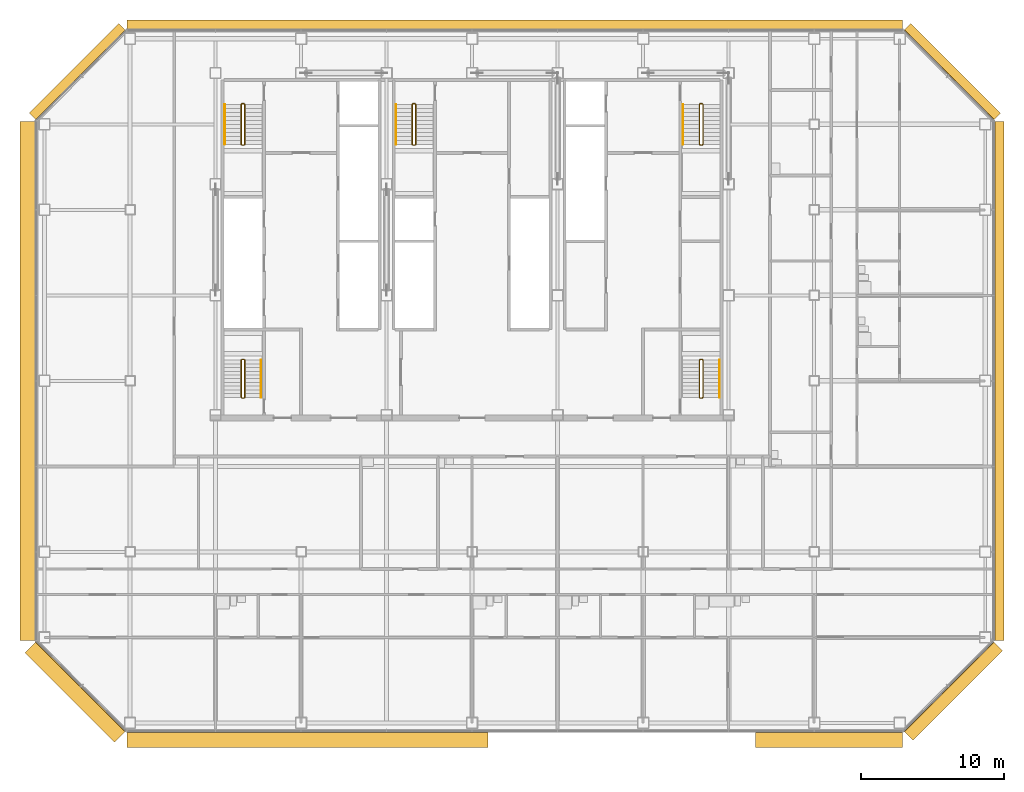
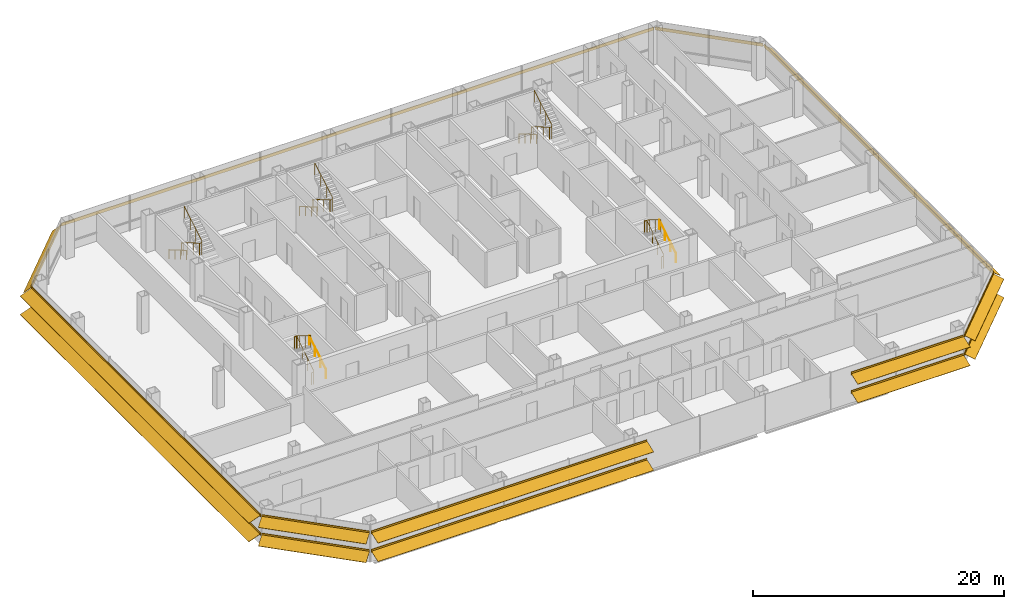
# One storey, part 24 of 25: 10 railings, 9 shading devices.
"""IFC4 building model written with IfcOpenShell, lengths in metres."""

from ifc_helpers import new_model, si_unit, direction, frame, origin, origin_2d, place, context, subcontext, project, spatial, polyline, circle, outline, composite_profile, extrude, material, type_object, element, save


model = new_model("IFC4")

# Units and contexts
model_context = context("Model", 3, precision=1e-05, world=origin(), true_north=direction((0.0, 1.0)))
body_context = subcontext(model_context, "Body", "Model", "MODEL_VIEW")
ifc_project = project(units=[si_unit("LENGTHUNIT", "METRE"), si_unit("AREAUNIT", "SQUARE_METRE"), si_unit("VOLUMEUNIT", "CUBIC_METRE"), si_unit("PLANEANGLEUNIT", "RADIAN"), si_unit("MASSUNIT", "GRAM", prefix="KILO")], contexts=[model_context])

# Site, building, storey
site_placement = place(None, origin())
site = spatial("IfcSite", under=ifc_project, at=site_placement, CompositionType="ELEMENT")
building_placement = place(site_placement, origin())
building = spatial("IfcBuilding", under=site, at=building_placement, Name="Sorahane Residences", CompositionType="ELEMENT")
storey_placement = place(building_placement, frame((0.0, 0.0, 107.0)))
storey = spatial("IfcBuildingStorey", under=building, at=storey_placement, Name="L23", CompositionType="ELEMENT", Elevation=107.0)

# Shading devices
ifc_material_1 = material(Name="Terracotta anodised aluminium", Category="masonry")
shading_device_type_1 = type_object("IfcShadingDeviceType", Name="Louvre sunshade blade E terracotta aluminium 700", PredefinedType="JALOUSIE", material=ifc_material_1)
shading_device_1_placement = place(storey_placement, frame((60.60009765625, 5.801513671875, 2.699951171875), z_axis=(0.0, 1.0, 0.0), x_axis=(-1.0, 0.0, 0.0)))
element("IfcShadingDevice", 1, at=shading_device_1_placement, inside=storey, type_object=shading_device_type_1, Name="Louvre sunshade blade bank E L23 E1", PredefinedType="JALOUSIE", context=body_context, shape_type="SweptSolid", body=[
    extrude(outline(polyline([(-0.719970703125, -0.49365234375), (-0.719970703125, -0.523681640625), (-0.080078125, -0.05859375), (-0.080078125, -0.14990234375), (-0.02001953125, -0.14990234375), (-0.02001953125, -0.014892578125), (-0.02001953125, 0.014892578125), (-0.02001953125, 0.14990234375), (-0.080078125, 0.14990234375), (-0.080078125, -0.028564453125), (-0.719970703125, -0.49365234375)])), origin(), (0.0, 0.0, 1.0), 36.39697265625),
])
ifc_material_2 = material(Name="Terracotta anodised aluminium", Category="masonry")
shading_device_type_2 = type_object("IfcShadingDeviceType", Name="Louvre sunshade blade N terracotta aluminium 700", PredefinedType="JALOUSIE", material=ifc_material_2)
shading_device_2_placement = place(storey_placement, frame((54.198486328125, 48.60009765625, 2.699951171875), z_axis=(-1.0, 0.0, 0.0), x_axis=(0.0, -1.0, 0.0)))
element("IfcShadingDevice", 2, at=shading_device_2_placement, inside=storey, type_object=shading_device_type_2, Name="Louvre sunshade blade bank N L23 N1", PredefinedType="JALOUSIE", context=body_context, shape_type="SweptSolid", body=[
    extrude(outline(polyline([(-0.719970703125, -0.660888671875), (-0.719970703125, -0.69091796875), (-0.080078125, -0.072998046875), (-0.080078125, -0.14990234375), (-0.02001953125, -0.14990234375), (-0.02001953125, -0.014892578125), (-0.02001953125, 0.014892578125), (-0.02001953125, 0.14990234375), (-0.080078125, 0.14990234375), (-0.080078125, -0.04296875), (-0.719970703125, -0.660888671875)])), origin(), (0.0, 0.0, 1.0), 54.39697265625),
])
ifc_material_3 = material(Name="Terracotta anodised aluminium", Category="masonry")
shading_device_type_3 = type_object("IfcShadingDeviceType", Name="Louvre sunshade blade NE terracotta aluminium 700", PredefinedType="JALOUSIE", material=ifc_material_3)
shading_device_3_placement = place(storey_placement, frame((60.564697265625, 42.283935546875, 2.699951171875), z_axis=(-0.707106781187, 0.707106781187, 0.0), x_axis=(-0.707106781187, -0.707106781187, 0.0)))
element("IfcShadingDevice", 3, at=shading_device_3_placement, inside=storey, type_object=shading_device_type_3, Name="Louvre sunshade blade bank NE L23 NE1", PredefinedType="JALOUSIE", context=body_context, shape_type="SweptSolid", body=[
    extrude(outline(polyline([(-0.719970703125, -0.572509765625), (-0.719970703125, -0.602294921875), (-0.080078125, -0.065185546875), (-0.080078125, -0.14990234375), (-0.02001953125, -0.14990234375), (-0.02001953125, -0.014892578125), (-0.02001953125, 0.014892578125), (-0.02001953125, 0.14990234375), (-0.080078125, 0.14990234375), (-0.080078125, -0.035400390625), (-0.719970703125, -0.572509765625)])), origin(), (0.0, 0.0, 1.0), 8.88232421875),
])
ifc_material_4 = material(Name="Terracotta anodised aluminium", Category="masonry")
shading_device_type_4 = type_object("IfcShadingDeviceType", Name="Louvre sunshade blade NW terracotta aluminium 700", PredefinedType="JALOUSIE", material=ifc_material_4)
shading_device_4_placement = place(storey_placement, frame((-0.283935546875, 48.564697265625, 2.699951171875), z_axis=(-0.707106781187, -0.707106781187, 0.0), x_axis=(0.707106781187, -0.707106781187, 0.0)))
element("IfcShadingDevice", 4, at=shading_device_4_placement, inside=storey, type_object=shading_device_type_4, Name="Louvre sunshade blade bank NW L23 NW1", PredefinedType="JALOUSIE", context=body_context, shape_type="SweptSolid", body=[
    extrude(outline(polyline([(-0.719970703125, -0.660888671875), (-0.719970703125, -0.69091796875), (-0.080078125, -0.072998046875), (-0.080078125, -0.14990234375), (-0.02001953125, -0.14990234375), (-0.02001953125, -0.014892578125), (-0.02001953125, 0.014892578125), (-0.02001953125, 0.14990234375), (-0.080078125, 0.14990234375), (-0.080078125, -0.04296875), (-0.719970703125, -0.660888671875)])), origin(), (0.0, 0.0, 1.0), 8.88232421875),
])
ifc_material_5 = material(Name="Terracotta anodised aluminium", Category="masonry")
shading_device_type_5 = type_object("IfcShadingDeviceType", Name="Louvre sunshade blade S terracotta aluminium 1100", PredefinedType="JALOUSIE", material=ifc_material_5)
shading_device_5_placement = place(storey_placement, frame((-0.198486328125, -0.60009765625, 0.89990234375), z_axis=(1.0, 0.0, 0.0), x_axis=(0.0, 1.0, 0.0)))
element("IfcShadingDevice", 5, at=shading_device_5_placement, inside=storey, type_object=shading_device_type_5, Name="Louvre sunshade blade bank S L23 S1", PredefinedType="JALOUSIE", context=body_context, shape_type="SweptSolid", body=[
    extrude(composite_profile([outline(polyline([(-1.1201171875, -0.385498046875), (-1.1201171875, -0.415283203125), (-0.080078125, -0.036865234375), (-0.080078125, -0.14990234375), (-0.02001953125, -0.14990234375), (-0.02001953125, -0.014892578125), (-0.02001953125, 0.014892578125), (-0.02001953125, 0.14990234375), (-0.080078125, 0.14990234375), (-0.080078125, -0.0068359375), (-1.1201171875, -0.385498046875)])), outline(polyline([(-1.1201171875, 1.41455078125), (-1.1201171875, 1.384521484375), (-0.080078125, 1.76318359375), (-0.080078125, 1.64990234375), (-0.02001953125, 1.64990234375), (-0.02001953125, 1.784912109375), (-0.02001953125, 1.81494140625), (-0.02001953125, 1.949951171875), (-0.080078125, 1.949951171875), (-0.080078125, 1.793212890625), (-1.1201171875, 1.41455078125)]))]), origin(), (0.0, 0.0, 1.0), 25.3291015625),
])
shading_device_6_placement = place(storey_placement, frame((43.869384765625, -0.60009765625, 0.89990234375), z_axis=(1.0, 0.0, 0.0), x_axis=(0.0, 1.0, 0.0)))
element("IfcShadingDevice", 6, at=shading_device_6_placement, inside=storey, type_object=shading_device_type_5, Name="Louvre sunshade blade bank S L23 S1 part 2", PredefinedType="JALOUSIE", context=body_context, shape_type="SweptSolid", body=[
    extrude(composite_profile([outline(polyline([(-1.1201171875, -0.385498046875), (-1.1201171875, -0.415283203125), (-0.080078125, -0.036865234375), (-0.080078125, -0.14990234375), (-0.02001953125, -0.14990234375), (-0.02001953125, -0.014892578125), (-0.02001953125, 0.014892578125), (-0.02001953125, 0.14990234375), (-0.080078125, 0.14990234375), (-0.080078125, -0.0068359375), (-1.1201171875, -0.385498046875)])), outline(polyline([(-1.1201171875, 1.41455078125), (-1.1201171875, 1.384521484375), (-0.080078125, 1.76318359375), (-0.080078125, 1.64990234375), (-0.02001953125, 1.64990234375), (-0.02001953125, 1.784912109375), (-0.02001953125, 1.81494140625), (-0.02001953125, 1.949951171875), (-0.080078125, 1.949951171875), (-0.080078125, 1.793212890625), (-1.1201171875, 1.41455078125)]))]), origin(), (0.0, 0.0, 1.0), 10.3291015625),
])
ifc_material_6 = material(Name="Terracotta anodised aluminium", Category="masonry")
shading_device_type_6 = type_object("IfcShadingDeviceType", Name="Louvre sunshade blade SE terracotta aluminium 900", PredefinedType="JALOUSIE", material=ifc_material_6)
shading_device_7_placement = place(storey_placement, frame((54.283935546875, -0.564697265625, 0.89990234375), z_axis=(0.707106781187, 0.707106781187, 0.0), x_axis=(-0.707106781187, 0.707106781187, 0.0)))
element("IfcShadingDevice", 7, at=shading_device_7_placement, inside=storey, type_object=shading_device_type_6, Name="Louvre sunshade blade bank SE L23 SE1", PredefinedType="JALOUSIE", context=body_context, shape_type="SweptSolid", body=[
    extrude(composite_profile([outline(polyline([(-0.919921875, -0.3486328125), (-0.919921875, -0.378662109375), (-0.080078125, -0.039306640625), (-0.080078125, -0.14990234375), (-0.02001953125, -0.14990234375), (-0.02001953125, -0.014892578125), (-0.02001953125, 0.014892578125), (-0.02001953125, 0.14990234375), (-0.080078125, 0.14990234375), (-0.080078125, -0.00927734375), (-0.919921875, -0.3486328125)])), outline(polyline([(-0.919921875, 1.451416015625), (-0.919921875, 1.42138671875), (-0.080078125, 1.7607421875), (-0.080078125, 1.64990234375), (-0.02001953125, 1.64990234375), (-0.02001953125, 1.784912109375), (-0.02001953125, 1.81494140625), (-0.02001953125, 1.949951171875), (-0.080078125, 1.949951171875), (-0.080078125, 1.790771484375), (-0.919921875, 1.451416015625)]))]), origin(), (0.0, 0.0, 1.0), 8.88232421875),
])
ifc_material_7 = material(Name="Terracotta anodised aluminium", Category="masonry")
shading_device_type_7 = type_object("IfcShadingDeviceType", Name="Louvre sunshade blade SW terracotta aluminium 1100", PredefinedType="JALOUSIE", material=ifc_material_7)
shading_device_8_placement = place(storey_placement, frame((-6.564697265625, 5.716064453125, 0.89990234375), z_axis=(0.707106781187, -0.707106781187, 0.0), x_axis=(0.707106781187, 0.707106781187, 0.0)))
element("IfcShadingDevice", 8, at=shading_device_8_placement, inside=storey, type_object=shading_device_type_7, Name="Louvre sunshade blade bank SW L23 SW1", PredefinedType="JALOUSIE", context=body_context, shape_type="SweptSolid", body=[
    extrude(composite_profile([outline(polyline([(-1.1201171875, -0.385498046875), (-1.1201171875, -0.415283203125), (-0.080078125, -0.036865234375), (-0.080078125, -0.14990234375), (-0.02001953125, -0.14990234375), (-0.02001953125, -0.014892578125), (-0.02001953125, 0.014892578125), (-0.02001953125, 0.14990234375), (-0.080078125, 0.14990234375), (-0.080078125, -0.0068359375), (-1.1201171875, -0.385498046875)])), outline(polyline([(-1.1201171875, 1.41455078125), (-1.1201171875, 1.384521484375), (-0.080078125, 1.76318359375), (-0.080078125, 1.64990234375), (-0.02001953125, 1.64990234375), (-0.02001953125, 1.784912109375), (-0.02001953125, 1.81494140625), (-0.02001953125, 1.949951171875), (-0.080078125, 1.949951171875), (-0.080078125, 1.793212890625), (-1.1201171875, 1.41455078125)]))]), origin(), (0.0, 0.0, 1.0), 8.88232421875),
])
ifc_material_8 = material(Name="Terracotta anodised aluminium", Category="masonry")
shading_device_type_8 = type_object("IfcShadingDeviceType", Name="Louvre sunshade blade W terracotta aluminium 1100", PredefinedType="JALOUSIE", material=ifc_material_8)
shading_device_9_placement = place(storey_placement, frame((-6.60009765625, 42.198486328125, 0.89990234375), z_axis=(0.0, -1.0, 0.0), x_axis=(1.0, 0.0, 0.0)))
element("IfcShadingDevice", 9, at=shading_device_9_placement, inside=storey, type_object=shading_device_type_8, Name="Louvre sunshade blade bank W L23 W1", PredefinedType="JALOUSIE", context=body_context, shape_type="SweptSolid", body=[
    extrude(composite_profile([outline(polyline([(-1.1201171875, -0.385498046875), (-1.1201171875, -0.415283203125), (-0.080078125, -0.036865234375), (-0.080078125, -0.14990234375), (-0.02001953125, -0.14990234375), (-0.02001953125, -0.014892578125), (-0.02001953125, 0.014892578125), (-0.02001953125, 0.14990234375), (-0.080078125, 0.14990234375), (-0.080078125, -0.0068359375), (-1.1201171875, -0.385498046875)])), outline(polyline([(-1.1201171875, 1.41455078125), (-1.1201171875, 1.384521484375), (-0.080078125, 1.76318359375), (-0.080078125, 1.64990234375), (-0.02001953125, 1.64990234375), (-0.02001953125, 1.784912109375), (-0.02001953125, 1.81494140625), (-0.02001953125, 1.949951171875), (-0.080078125, 1.949951171875), (-0.080078125, 1.793212890625), (-1.1201171875, 1.41455078125)]))]), origin(), (0.0, 0.0, 1.0), 36.39697265625),
])

# Railings
ifc_material_9 = material(Name="Steel Q355B", Category="steel")
railing_type_1 = type_object("IfcRailingType", Name="Stair guard 1200 Steel Q355B", PredefinedType="GUARDRAIL", material=ifc_material_9)
railing_1_placement = place(storey_placement, frame((8.0, 43.449951171875, 0.0)))
element("IfcRailing", 10, at=railing_1_placement, inside=storey, type_object=railing_type_1, Name="L23 S1 stair guard 1", PredefinedType="GUARDRAIL", context=body_context, shape_type="SweptSolid", body=[
    extrude(circle(Radius=0.02392578125, at=origin_2d()), frame((0.0, 0.0, 1.17578125), z_axis=(-1.0, 0.0, 0.0), x_axis=(0.0, -1.0, 0.0)), (0.0, 0.0, 1.0), 0.14990234375),
    extrude(circle(Radius=0.02392578125, at=origin_2d()), frame((-0.14990234375, 0.0, 1.17578125), z_axis=(-0.280808744504, -0.280808744504, 0.917765164963), x_axis=(0.707106781187, -0.707106781187, 0.0)), (0.0, 0.0, 1.0), 0.17822265625),
    extrude(circle(Radius=0.02392578125, at=origin_2d()), frame((-0.199951171875, -0.050048828125, 1.33935546875), z_axis=(0.0, -0.863341702679, 0.504619762213), x_axis=(1.0, 0.0, 0.0)), (0.0, 0.0, 1.0), 3.242919921875),
    extrude(circle(Radius=0.02392578125, at=origin_2d()), frame((-0.199951171875, -2.849853515625, 2.97607421875), z_axis=(0.707106781187, -0.707106781187, 0.0), x_axis=(0.707106781187, 0.707106781187, 0.0)), (0.0, 0.0, 1.0), 0.07080078125),
    extrude(circle(Radius=0.02392578125, at=origin_2d()), frame((-0.14990234375, -2.89990234375, 2.97607421875), z_axis=(1.0, 0.0, 0.0), x_axis=(0.0, 1.0, 0.0)), (0.0, 0.0, 1.0), 0.14990234375),
    extrude(circle(Radius=0.02392578125, at=origin_2d()), frame((0.0, -2.89990234375, 2.97607421875), z_axis=(0.280808744504, 0.280808744504, 0.917765164963), x_axis=(-0.707106781187, 0.707106781187, 0.0)), (0.0, 0.0, 1.0), 0.17822265625),
    extrude(circle(Radius=0.02392578125, at=origin_2d()), frame((0.050048828125, -2.849853515625, 3.1396484375), z_axis=(0.0, 0.863341702679, 0.504619762213), x_axis=(-1.0, 0.0, 0.0)), (0.0, 0.0, 1.0), 3.242919921875),
    extrude(circle(Radius=0.02099609375, at=origin_2d()), origin(), (0.0, 0.0, 1.0), 1.15185546875),
    extrude(circle(Radius=0.02099609375, at=origin_2d()), frame((-0.14990234375, 0.0, 0.0)), (0.0, 0.0, 1.0), 1.15185546875),
    extrude(circle(Radius=0.02099609375, at=origin_2d()), frame((-0.199951171875, -0.050048828125, 0.16357421875)), (0.0, 0.0, 1.0), 1.15185546875),
    extrude(circle(Radius=0.02099609375, at=origin_2d()), frame((-0.199951171875, -0.9833984375, 0.708984375)), (0.0, 0.0, 1.0), 1.15185546875),
    extrude(circle(Radius=0.02099609375, at=origin_2d()), frame((-0.199951171875, -1.91650390625, 1.254638671875)), (0.0, 0.0, 1.0), 1.15185546875),
    extrude(circle(Radius=0.02099609375, at=origin_2d()), frame((-0.199951171875, -2.849853515625, 1.800048828125)), (0.0, 0.0, 1.0), 1.15185546875),
    extrude(circle(Radius=0.02099609375, at=origin_2d()), frame((-0.14990234375, -2.89990234375, 1.800048828125)), (0.0, 0.0, 1.0), 1.15185546875),
    extrude(circle(Radius=0.02099609375, at=origin_2d()), frame((0.0, -2.89990234375, 1.800048828125)), (0.0, 0.0, 1.0), 1.15185546875),
    extrude(circle(Radius=0.02099609375, at=origin_2d()), frame((0.050048828125, -2.849853515625, 1.963623046875)), (0.0, 0.0, 1.0), 1.15185546875),
    extrude(circle(Radius=0.02099609375, at=origin_2d()), frame((0.050048828125, -1.91650390625, 2.509033203125)), (0.0, 0.0, 1.0), 1.15185546875),
    extrude(circle(Radius=0.02099609375, at=origin_2d()), frame((0.050048828125, -0.9833984375, 3.0546875)), (0.0, 0.0, 1.0), 1.15185546875),
    extrude(circle(Radius=0.02099609375, at=origin_2d()), frame((0.050048828125, -0.050048828125, 3.60009765625)), (0.0, 0.0, 1.0), 1.15185546875),
])
railing_2_placement = place(storey_placement, frame((40.14990234375, 43.449951171875, 0.0)))
element("IfcRailing", 11, at=railing_2_placement, inside=storey, type_object=railing_type_1, Name="L23 S2 stair guard 1", PredefinedType="GUARDRAIL", context=body_context, shape_type="SweptSolid", body=[
    extrude(circle(Radius=0.02392578125, at=origin_2d()), frame((0.0, 0.0, 1.17578125), z_axis=(-1.0, 0.0, 0.0), x_axis=(0.0, -1.0, 0.0)), (0.0, 0.0, 1.0), 0.14990234375),
    extrude(circle(Radius=0.02392578125, at=origin_2d()), frame((-0.14990234375, 0.0, 1.17578125), z_axis=(-0.280808744504, -0.280808744504, 0.917765164963), x_axis=(0.707106781187, -0.707106781187, 0.0)), (0.0, 0.0, 1.0), 0.17822265625),
    extrude(circle(Radius=0.02392578125, at=origin_2d()), frame((-0.199951171875, -0.050048828125, 1.33935546875), z_axis=(0.0, -0.863341702679, 0.504619762213), x_axis=(1.0, 0.0, 0.0)), (0.0, 0.0, 1.0), 3.242919921875),
    extrude(circle(Radius=0.02392578125, at=origin_2d()), frame((-0.199951171875, -2.849853515625, 2.97607421875), z_axis=(0.707106781187, -0.707106781187, 0.0), x_axis=(0.707106781187, 0.707106781187, 0.0)), (0.0, 0.0, 1.0), 0.07080078125),
    extrude(circle(Radius=0.02392578125, at=origin_2d()), frame((-0.14990234375, -2.89990234375, 2.97607421875), z_axis=(1.0, 0.0, 0.0), x_axis=(0.0, 1.0, 0.0)), (0.0, 0.0, 1.0), 0.14990234375),
    extrude(circle(Radius=0.02392578125, at=origin_2d()), frame((0.0, -2.89990234375, 2.97607421875), z_axis=(0.280808744504, 0.280808744504, 0.917765164963), x_axis=(-0.707106781187, 0.707106781187, 0.0)), (0.0, 0.0, 1.0), 0.17822265625),
    extrude(circle(Radius=0.02392578125, at=origin_2d()), frame((0.050048828125, -2.849853515625, 3.1396484375), z_axis=(0.0, 0.863341702679, 0.504619762213), x_axis=(-1.0, 0.0, 0.0)), (0.0, 0.0, 1.0), 3.242919921875),
    extrude(circle(Radius=0.02099609375, at=origin_2d()), origin(), (0.0, 0.0, 1.0), 1.15185546875),
    extrude(circle(Radius=0.02099609375, at=origin_2d()), frame((-0.14990234375, 0.0, 0.0)), (0.0, 0.0, 1.0), 1.15185546875),
    extrude(circle(Radius=0.02099609375, at=origin_2d()), frame((-0.199951171875, -0.050048828125, 0.16357421875)), (0.0, 0.0, 1.0), 1.15185546875),
    extrude(circle(Radius=0.02099609375, at=origin_2d()), frame((-0.199951171875, -0.9833984375, 0.708984375)), (0.0, 0.0, 1.0), 1.15185546875),
    extrude(circle(Radius=0.02099609375, at=origin_2d()), frame((-0.199951171875, -1.91650390625, 1.254638671875)), (0.0, 0.0, 1.0), 1.15185546875),
    extrude(circle(Radius=0.02099609375, at=origin_2d()), frame((-0.199951171875, -2.849853515625, 1.800048828125)), (0.0, 0.0, 1.0), 1.15185546875),
    extrude(circle(Radius=0.02099609375, at=origin_2d()), frame((-0.14990234375, -2.89990234375, 1.800048828125)), (0.0, 0.0, 1.0), 1.15185546875),
    extrude(circle(Radius=0.02099609375, at=origin_2d()), frame((0.0, -2.89990234375, 1.800048828125)), (0.0, 0.0, 1.0), 1.15185546875),
    extrude(circle(Radius=0.02099609375, at=origin_2d()), frame((0.050048828125, -2.849853515625, 1.963623046875)), (0.0, 0.0, 1.0), 1.15185546875),
    extrude(circle(Radius=0.02099609375, at=origin_2d()), frame((0.050048828125, -1.91650390625, 2.509033203125)), (0.0, 0.0, 1.0), 1.15185546875),
    extrude(circle(Radius=0.02099609375, at=origin_2d()), frame((0.050048828125, -0.9833984375, 3.0546875)), (0.0, 0.0, 1.0), 1.15185546875),
    extrude(circle(Radius=0.02099609375, at=origin_2d()), frame((0.050048828125, -0.050048828125, 3.60009765625)), (0.0, 0.0, 1.0), 1.15185546875),
])
railing_3_placement = place(storey_placement, frame((20.0, 43.449951171875, 0.0)))
element("IfcRailing", 12, at=railing_3_placement, inside=storey, type_object=railing_type_1, Name="L23 S3 stair guard 1", PredefinedType="GUARDRAIL", context=body_context, shape_type="SweptSolid", body=[
    extrude(circle(Radius=0.02392578125, at=origin_2d()), frame((0.0, 0.0, 1.17578125), z_axis=(-1.0, 0.0, 0.0), x_axis=(0.0, -1.0, 0.0)), (0.0, 0.0, 1.0), 0.14990234375),
    extrude(circle(Radius=0.02392578125, at=origin_2d()), frame((-0.14990234375, 0.0, 1.17578125), z_axis=(-0.280808744504, -0.280808744504, 0.917765164963), x_axis=(0.707106781187, -0.707106781187, 0.0)), (0.0, 0.0, 1.0), 0.17822265625),
    extrude(circle(Radius=0.02392578125, at=origin_2d()), frame((-0.199951171875, -0.050048828125, 1.33935546875), z_axis=(0.0, -0.863341702679, 0.504619762213), x_axis=(1.0, 0.0, 0.0)), (0.0, 0.0, 1.0), 3.242919921875),
    extrude(circle(Radius=0.02392578125, at=origin_2d()), frame((-0.199951171875, -2.849853515625, 2.97607421875), z_axis=(0.707106781187, -0.707106781187, 0.0), x_axis=(0.707106781187, 0.707106781187, 0.0)), (0.0, 0.0, 1.0), 0.07080078125),
    extrude(circle(Radius=0.02392578125, at=origin_2d()), frame((-0.14990234375, -2.89990234375, 2.97607421875), z_axis=(1.0, 0.0, 0.0), x_axis=(0.0, 1.0, 0.0)), (0.0, 0.0, 1.0), 0.14990234375),
    extrude(circle(Radius=0.02392578125, at=origin_2d()), frame((0.0, -2.89990234375, 2.97607421875), z_axis=(0.280808744504, 0.280808744504, 0.917765164963), x_axis=(-0.707106781187, 0.707106781187, 0.0)), (0.0, 0.0, 1.0), 0.17822265625),
    extrude(circle(Radius=0.02392578125, at=origin_2d()), frame((0.050048828125, -2.849853515625, 3.1396484375), z_axis=(0.0, 0.863341702679, 0.504619762213), x_axis=(-1.0, 0.0, 0.0)), (0.0, 0.0, 1.0), 3.242919921875),
    extrude(circle(Radius=0.02099609375, at=origin_2d()), origin(), (0.0, 0.0, 1.0), 1.15185546875),
    extrude(circle(Radius=0.02099609375, at=origin_2d()), frame((-0.14990234375, 0.0, 0.0)), (0.0, 0.0, 1.0), 1.15185546875),
    extrude(circle(Radius=0.02099609375, at=origin_2d()), frame((-0.199951171875, -0.050048828125, 0.16357421875)), (0.0, 0.0, 1.0), 1.15185546875),
    extrude(circle(Radius=0.02099609375, at=origin_2d()), frame((-0.199951171875, -0.9833984375, 0.708984375)), (0.0, 0.0, 1.0), 1.15185546875),
    extrude(circle(Radius=0.02099609375, at=origin_2d()), frame((-0.199951171875, -1.91650390625, 1.254638671875)), (0.0, 0.0, 1.0), 1.15185546875),
    extrude(circle(Radius=0.02099609375, at=origin_2d()), frame((-0.199951171875, -2.849853515625, 1.800048828125)), (0.0, 0.0, 1.0), 1.15185546875),
    extrude(circle(Radius=0.02099609375, at=origin_2d()), frame((-0.14990234375, -2.89990234375, 1.800048828125)), (0.0, 0.0, 1.0), 1.15185546875),
    extrude(circle(Radius=0.02099609375, at=origin_2d()), frame((0.0, -2.89990234375, 1.800048828125)), (0.0, 0.0, 1.0), 1.15185546875),
    extrude(circle(Radius=0.02099609375, at=origin_2d()), frame((0.050048828125, -2.849853515625, 1.963623046875)), (0.0, 0.0, 1.0), 1.15185546875),
    extrude(circle(Radius=0.02099609375, at=origin_2d()), frame((0.050048828125, -1.91650390625, 2.509033203125)), (0.0, 0.0, 1.0), 1.15185546875),
    extrude(circle(Radius=0.02099609375, at=origin_2d()), frame((0.050048828125, -0.9833984375, 3.0546875)), (0.0, 0.0, 1.0), 1.15185546875),
    extrude(circle(Radius=0.02099609375, at=origin_2d()), frame((0.050048828125, -0.050048828125, 3.60009765625)), (0.0, 0.0, 1.0), 1.15185546875),
])
railing_4_placement = place(storey_placement, frame((7.85009765625, 22.800048828125, 0.0)))
element("IfcRailing", 13, at=railing_4_placement, inside=storey, type_object=railing_type_1, Name="L23 S4 stair guard 1", PredefinedType="GUARDRAIL", context=body_context, shape_type="SweptSolid", body=[
    extrude(circle(Radius=0.02392578125, at=origin_2d()), frame((0.0, 0.0, 1.17578125), z_axis=(1.0, 0.0, 0.0), x_axis=(0.0, 1.0, 0.0)), (0.0, 0.0, 1.0), 0.14990234375),
    extrude(circle(Radius=0.02392578125, at=origin_2d()), frame((0.14990234375, 0.0, 1.17578125), z_axis=(0.280808744504, 0.280808744504, 0.917765164963), x_axis=(-0.707106781187, 0.707106781187, 0.0)), (0.0, 0.0, 1.0), 0.17822265625),
    extrude(circle(Radius=0.02392578125, at=origin_2d()), frame((0.199951171875, 0.050048828125, 1.33935546875), z_axis=(0.0, 0.846301844409, 0.532703658848), x_axis=(-1.0, 0.0, 0.0)), (0.0, 0.0, 1.0), 3.072021484375),
    extrude(circle(Radius=0.02392578125, at=origin_2d()), frame((0.199951171875, 2.64990234375, 2.97607421875), z_axis=(-0.707106781187, 0.707106781187, 0.0), x_axis=(-0.707106781187, -0.707106781187, 0.0)), (0.0, 0.0, 1.0), 0.07080078125),
    extrude(circle(Radius=0.02392578125, at=origin_2d()), frame((0.14990234375, 2.699951171875, 2.97607421875), z_axis=(-1.0, 0.0, 0.0), x_axis=(0.0, -1.0, 0.0)), (0.0, 0.0, 1.0), 0.14990234375),
    extrude(circle(Radius=0.02392578125, at=origin_2d()), frame((0.0, 2.699951171875, 2.97607421875), z_axis=(-0.280808744504, -0.280808744504, 0.917765164963), x_axis=(0.707106781187, -0.707106781187, 0.0)), (0.0, 0.0, 1.0), 0.17822265625),
    extrude(circle(Radius=0.02392578125, at=origin_2d()), frame((-0.050048828125, 2.64990234375, 3.1396484375), z_axis=(0.0, -0.846301844409, 0.532703658848), x_axis=(1.0, 0.0, 0.0)), (0.0, 0.0, 1.0), 3.072021484375),
    extrude(circle(Radius=0.02099609375, at=origin_2d()), origin(), (0.0, 0.0, 1.0), 1.15185546875),
    extrude(circle(Radius=0.02099609375, at=origin_2d()), frame((0.14990234375, 0.0, 0.0)), (0.0, 0.0, 1.0), 1.15185546875),
    extrude(circle(Radius=0.02099609375, at=origin_2d()), frame((0.199951171875, 0.050048828125, 0.16357421875)), (0.0, 0.0, 1.0), 1.15185546875),
    extrude(circle(Radius=0.02099609375, at=origin_2d()), frame((0.199951171875, 0.916748046875, 0.708984375)), (0.0, 0.0, 1.0), 1.15185546875),
    extrude(circle(Radius=0.02099609375, at=origin_2d()), frame((0.199951171875, 1.783203125, 1.254638671875)), (0.0, 0.0, 1.0), 1.15185546875),
    extrude(circle(Radius=0.02099609375, at=origin_2d()), frame((0.199951171875, 2.64990234375, 1.800048828125)), (0.0, 0.0, 1.0), 1.15185546875),
    extrude(circle(Radius=0.02099609375, at=origin_2d()), frame((0.14990234375, 2.699951171875, 1.800048828125)), (0.0, 0.0, 1.0), 1.15185546875),
    extrude(circle(Radius=0.02099609375, at=origin_2d()), frame((0.0, 2.699951171875, 1.800048828125)), (0.0, 0.0, 1.0), 1.15185546875),
    extrude(circle(Radius=0.02099609375, at=origin_2d()), frame((-0.050048828125, 2.64990234375, 1.963623046875)), (0.0, 0.0, 1.0), 1.15185546875),
    extrude(circle(Radius=0.02099609375, at=origin_2d()), frame((-0.050048828125, 1.783203125, 2.509033203125)), (0.0, 0.0, 1.0), 1.15185546875),
    extrude(circle(Radius=0.02099609375, at=origin_2d()), frame((-0.050048828125, 0.916748046875, 3.0546875)), (0.0, 0.0, 1.0), 1.15185546875),
    extrude(circle(Radius=0.02099609375, at=origin_2d()), frame((-0.050048828125, 0.050048828125, 3.60009765625)), (0.0, 0.0, 1.0), 1.15185546875),
])
railing_5_placement = place(storey_placement, frame((40.0, 22.800048828125, 0.0)))
element("IfcRailing", 14, at=railing_5_placement, inside=storey, type_object=railing_type_1, Name="L23 S5 stair guard 1", PredefinedType="GUARDRAIL", context=body_context, shape_type="SweptSolid", body=[
    extrude(circle(Radius=0.02392578125, at=origin_2d()), frame((0.0, 0.0, 1.17578125), z_axis=(1.0, 0.0, 0.0), x_axis=(0.0, 1.0, 0.0)), (0.0, 0.0, 1.0), 0.14990234375),
    extrude(circle(Radius=0.02392578125, at=origin_2d()), frame((0.14990234375, 0.0, 1.17578125), z_axis=(0.280808744504, 0.280808744504, 0.917765164963), x_axis=(-0.707106781187, 0.707106781187, 0.0)), (0.0, 0.0, 1.0), 0.17822265625),
    extrude(circle(Radius=0.02392578125, at=origin_2d()), frame((0.199951171875, 0.050048828125, 1.33935546875), z_axis=(0.0, 0.846301844409, 0.532703658848), x_axis=(-1.0, 0.0, 0.0)), (0.0, 0.0, 1.0), 3.072021484375),
    extrude(circle(Radius=0.02392578125, at=origin_2d()), frame((0.199951171875, 2.64990234375, 2.97607421875), z_axis=(-0.707106781187, 0.707106781187, 0.0), x_axis=(-0.707106781187, -0.707106781187, 0.0)), (0.0, 0.0, 1.0), 0.07080078125),
    extrude(circle(Radius=0.02392578125, at=origin_2d()), frame((0.14990234375, 2.699951171875, 2.97607421875), z_axis=(-1.0, 0.0, 0.0), x_axis=(0.0, -1.0, 0.0)), (0.0, 0.0, 1.0), 0.14990234375),
    extrude(circle(Radius=0.02392578125, at=origin_2d()), frame((0.0, 2.699951171875, 2.97607421875), z_axis=(-0.280808744504, -0.280808744504, 0.917765164963), x_axis=(0.707106781187, -0.707106781187, 0.0)), (0.0, 0.0, 1.0), 0.17822265625),
    extrude(circle(Radius=0.02392578125, at=origin_2d()), frame((-0.050048828125, 2.64990234375, 3.1396484375), z_axis=(0.0, -0.846301844409, 0.532703658848), x_axis=(1.0, 0.0, 0.0)), (0.0, 0.0, 1.0), 3.072021484375),
    extrude(circle(Radius=0.02099609375, at=origin_2d()), origin(), (0.0, 0.0, 1.0), 1.15185546875),
    extrude(circle(Radius=0.02099609375, at=origin_2d()), frame((0.14990234375, 0.0, 0.0)), (0.0, 0.0, 1.0), 1.15185546875),
    extrude(circle(Radius=0.02099609375, at=origin_2d()), frame((0.199951171875, 0.050048828125, 0.16357421875)), (0.0, 0.0, 1.0), 1.15185546875),
    extrude(circle(Radius=0.02099609375, at=origin_2d()), frame((0.199951171875, 0.916748046875, 0.708984375)), (0.0, 0.0, 1.0), 1.15185546875),
    extrude(circle(Radius=0.02099609375, at=origin_2d()), frame((0.199951171875, 1.783203125, 1.254638671875)), (0.0, 0.0, 1.0), 1.15185546875),
    extrude(circle(Radius=0.02099609375, at=origin_2d()), frame((0.199951171875, 2.64990234375, 1.800048828125)), (0.0, 0.0, 1.0), 1.15185546875),
    extrude(circle(Radius=0.02099609375, at=origin_2d()), frame((0.14990234375, 2.699951171875, 1.800048828125)), (0.0, 0.0, 1.0), 1.15185546875),
    extrude(circle(Radius=0.02099609375, at=origin_2d()), frame((0.0, 2.699951171875, 1.800048828125)), (0.0, 0.0, 1.0), 1.15185546875),
    extrude(circle(Radius=0.02099609375, at=origin_2d()), frame((-0.050048828125, 2.64990234375, 1.963623046875)), (0.0, 0.0, 1.0), 1.15185546875),
    extrude(circle(Radius=0.02099609375, at=origin_2d()), frame((-0.050048828125, 1.783203125, 2.509033203125)), (0.0, 0.0, 1.0), 1.15185546875),
    extrude(circle(Radius=0.02099609375, at=origin_2d()), frame((-0.050048828125, 0.916748046875, 3.0546875)), (0.0, 0.0, 1.0), 1.15185546875),
    extrude(circle(Radius=0.02099609375, at=origin_2d()), frame((-0.050048828125, 0.050048828125, 3.60009765625)), (0.0, 0.0, 1.0), 1.15185546875),
])
ifc_material_10 = material(Name="Steel Q355B", Category="steel")
railing_type_2 = type_object("IfcRailingType", Name="Stair handrail 900 Steel Q355B", PredefinedType="HANDRAIL", material=ifc_material_10)
for number, where, name in (
    (15, (6.64990234375, 43.39990234375, 0.16357421875), "L23 S1 stair handrail 1"),
    (16, (38.800048828125, 43.39990234375, 0.16357421875), "L23 S2 stair handrail 1"),
    (17, (18.64990234375, 43.39990234375, 0.16357421875), "L23 S3 stair handrail 1"),
):
    element("IfcRailing", number, at=place(storey_placement, frame(where)), inside=storey, type_object=railing_type_2, Name=name, PredefinedType="HANDRAIL", context=body_context, shape_type="SweptSolid", body=[
        extrude(circle(Radius=0.02392578125, at=origin_2d()), frame((0.0, 0.0, 0.8759765625), z_axis=(0.0, -0.863341702679, 0.504619762213), x_axis=(1.0, 0.0, 0.0)), (0.0, 0.0, 1.0), 3.242919921875),
        extrude(circle(Radius=0.02099609375, at=origin_2d()), origin(), (0.0, 0.0, 1.0), 0.851806640625),
        extrude(circle(Radius=0.02099609375, at=origin_2d()), frame((0.0, -0.933349609375, 0.54541015625)), (0.0, 0.0, 1.0), 0.851806640625),
        extrude(circle(Radius=0.02099609375, at=origin_2d()), frame((0.0, -1.866455078125, 1.091064453125)), (0.0, 0.0, 1.0), 0.851806640625),
        extrude(circle(Radius=0.02099609375, at=origin_2d()), frame((0.0, -2.7998046875, 1.636474609375)), (0.0, 0.0, 1.0), 0.851806640625),
    ])
for number, where, name in (
    (18, (9.199951171875, 22.85009765625, 0.16357421875), "L23 S4 stair handrail 1"),
    (19, (41.35009765625, 22.85009765625, 0.16357421875), "L23 S5 stair handrail 1"),
):
    element("IfcRailing", number, at=place(storey_placement, frame(where)), inside=storey, type_object=railing_type_2, Name=name, PredefinedType="HANDRAIL", context=body_context, shape_type="SweptSolid", body=[
        extrude(circle(Radius=0.02392578125, at=origin_2d()), frame((0.0, 0.0, 0.8759765625), z_axis=(0.0, 0.846301844409, 0.532703658848), x_axis=(-1.0, 0.0, 0.0)), (0.0, 0.0, 1.0), 3.072021484375),
        extrude(circle(Radius=0.02099609375, at=origin_2d()), origin(), (0.0, 0.0, 1.0), 0.851806640625),
        extrude(circle(Radius=0.02099609375, at=origin_2d()), frame((0.0, 0.86669921875, 0.54541015625)), (0.0, 0.0, 1.0), 0.851806640625),
        extrude(circle(Radius=0.02099609375, at=origin_2d()), frame((0.0, 1.733154296875, 1.091064453125)), (0.0, 0.0, 1.0), 0.851806640625),
        extrude(circle(Radius=0.02099609375, at=origin_2d()), frame((0.0, 2.599853515625, 1.636474609375)), (0.0, 0.0, 1.0), 0.851806640625),
    ])

save(model, "model.ifc")
